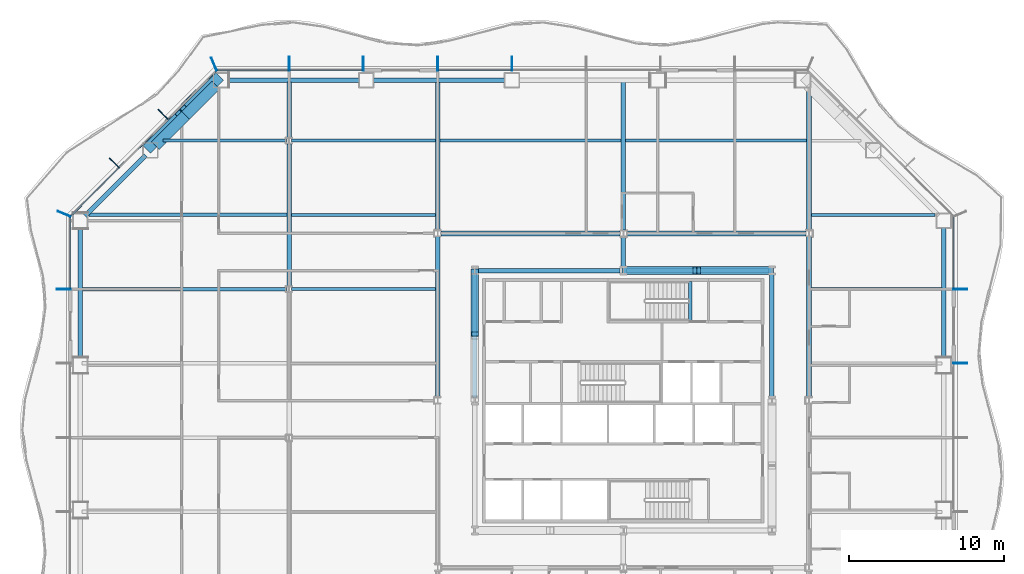
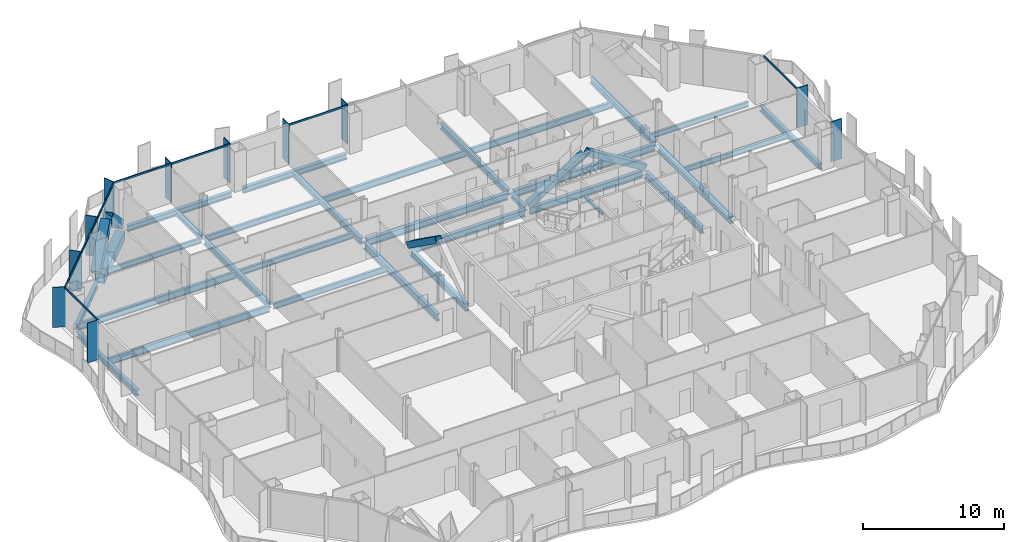
# One storey, part 3 of 20: 32 beams, 24 members, 4 elements without a shape of their own.
"""IFC4 building model written with IfcOpenShell, lengths in metres."""

import ifcopenshell
import ifcopenshell.guid

model = None  # the IFC model being written
_history = None  # IfcOwnerHistory: only IFC2X3 demands one
_inside = {}  # id of a spatial element -> (the spatial element, [elements in it])
_under = {}  # id of a project, library or spatial element -> (it, [spatial elements below it])
_declared = {}  # id of a project -> (the project, [libraries it declares])
_typed = {}  # id of a type object -> (the type object, [elements of that type])
_made_of = {}  # id of a material, layer set ... -> (it, [elements and type objects made of it])


def new_model(schema):
    """Start an empty IFC model of exactly this schema.

    Asked for "IFC4X3", IfcOpenShell would pick the latest addendum, in which some entities
    have other attributes; the version numbers below select the first issue.
    IFC2X3 requires an IfcOwnerHistory on every rooted entity: one is made here for all.
    """
    global model, _history
    if schema == "IFC4X3":
        model = ifcopenshell.file(schema_version=(4, 3, 0, 0))
    else:
        model = ifcopenshell.file(schema=schema)
    _inside.clear()
    _under.clear()
    _declared.clear()
    _typed.clear()
    _made_of.clear()
    _history = None
    if model.schema == "IFC2X3":
        org = make("IfcOrganization", Name="unknown")
        user = make(
            "IfcPersonAndOrganization",
            ThePerson=make("IfcPerson", FamilyName="unknown"),
            TheOrganization=org,
        )
        app = make(
            "IfcApplication",
            ApplicationDeveloper=org,
            Version="unknown",
            ApplicationFullName="unknown",
            ApplicationIdentifier="unknown",
        )
        _history = make(
            "IfcOwnerHistory",
            OwningUser=user,
            OwningApplication=app,
            ChangeAction="ADDED",
            CreationDate=0,
        )
    return model


def make(cls, **values):
    """One entity of the class cls with the attributes given. An attribute that is None is left unset."""
    return model.create_entity(
        cls, **{name: value for name, value in values.items() if value is not None}
    )


def rooted(cls, **values):
    """An entity with a GlobalId (a new one), such as an element, a storey or a relation."""
    return make(cls, GlobalId=ifcopenshell.guid.new(), OwnerHistory=_history, **values)


def si_unit(unit_type, name, prefix=None):
    """IfcSIUnit, for example si_unit("LENGTHUNIT", "METRE", prefix="MILLI")."""
    return make("IfcSIUnit", UnitType=unit_type, Prefix=prefix, Name=name)


def assignment(units):
    """IfcUnitAssignment: the units of a project."""
    return None if units is None else make("IfcUnitAssignment", Units=units)


def point(xyz):
    """IfcCartesianPoint."""
    return None if xyz is None else make("IfcCartesianPoint", Coordinates=xyz)


def direction(xyz):
    """IfcDirection."""
    return None if xyz is None else make("IfcDirection", DirectionRatios=xyz)


def frame(location, z_axis=None, x_axis=None):
    """IfcAxis2Placement3D, a coordinate frame: its origin and axes. An axis left out is left unset."""
    return make(
        "IfcAxis2Placement3D",
        Location=point(location),
        Axis=direction(z_axis),
        RefDirection=direction(x_axis),
    )


def frame_2d(location, x_axis=None):
    """IfcAxis2Placement2D, a coordinate frame in the plane: its origin and x axis."""
    return make(
        "IfcAxis2Placement2D", Location=point(location), RefDirection=direction(x_axis)
    )


def origin():
    """The frame at (0, 0, 0) with its axes left unset."""
    return frame((0.0, 0.0, 0.0))


def origin_2d():
    """The frame at (0, 0) in the plane with its x axis left unset."""
    return frame_2d((0.0, 0.0))


def place(relative_to, where):
    """IfcLocalPlacement: puts the frame where relative to a parent placement (None: the world)."""
    return make(
        "IfcLocalPlacement", PlacementRelTo=relative_to, RelativePlacement=where
    )


def context(
    kind, dimensions, precision=None, world=None, true_north=None, identifier=None
):
    """IfcGeometricRepresentationContext, for example the 3D "Model" context."""
    return make(
        "IfcGeometricRepresentationContext",
        ContextIdentifier=identifier,
        ContextType=kind,
        CoordinateSpaceDimension=dimensions,
        Precision=precision,
        WorldCoordinateSystem=world,
        TrueNorth=true_north,
    )


def subcontext(parent, identifier, kind, view, scale=None):
    """IfcGeometricRepresentationSubContext, for example "Body" below "Model"."""
    return make(
        "IfcGeometricRepresentationSubContext",
        ContextIdentifier=identifier,
        ContextType=kind,
        ParentContext=parent,
        TargetScale=scale,
        TargetView=view,
    )


def project(units=None, contexts=None):
    """IfcProject with its units and contexts."""
    return rooted(
        "IfcProject",
        Name="project",
        RepresentationContexts=contexts,
        UnitsInContext=assignment(units),
    )


def spatial(cls, under=None, at=None, **own):
    """A site, building, storey or space (cls), placed at a placement, below another one or the project."""
    s = rooted(cls, ObjectPlacement=at, **own)
    if under is not None:
        _under.setdefault(under.id(), (under, []))[1].append(s)
    return s


def profile(cls, at=None, kind="AREA", **sizes):
    """A parametric profile (cls). Its sizes go by their IFC names, for example OverallWidth=200.0."""
    return make(cls, ProfileType=kind, Position=at, **sizes)


def rectangle(**sizes):
    """IfcRectangleProfileDef."""
    return profile("IfcRectangleProfileDef", **sizes)


def hollow_rectangle(**sizes):
    """IfcRectangleHollowProfileDef."""
    return profile("IfcRectangleHollowProfileDef", **sizes)


def i_section(**sizes):
    """IfcIShapeProfileDef."""
    return profile("IfcIShapeProfileDef", **sizes)


def extrude(swept, where, along, depth):
    """IfcExtrudedAreaSolid: the profile swept, set in the frame where, extruded along a direction by depth."""
    return make(
        "IfcExtrudedAreaSolid",
        SweptArea=swept,
        Position=where,
        ExtrudedDirection=direction(along),
        Depth=depth,
    )


def shape(context_of_items, identifier, shape_type, items):
    """IfcShapeRepresentation: the items that make up one representation, for example the "Body"."""
    return make(
        "IfcShapeRepresentation",
        ContextOfItems=context_of_items,
        RepresentationIdentifier=identifier,
        RepresentationType=shape_type,
        Items=items,
    )


def material(Name=None, Category=None):
    """IfcMaterial."""
    return make("IfcMaterial", Name=Name, Category=Category)


def material_profile(
    of_material, cross_section, Name=None, Category=None, Priority=None
):
    """IfcMaterialProfile: a cross section and its material."""
    return make(
        "IfcMaterialProfile",
        Name=Name,
        Material=of_material,
        Profile=cross_section,
        Priority=Priority,
        Category=Category,
    )


def profile_set(profiles, Name=None, composite=None):
    """IfcMaterialProfileSet."""
    return make(
        "IfcMaterialProfileSet",
        Name=Name,
        MaterialProfiles=profiles,
        CompositeProfile=composite,
    )


def made_of(thing, what):
    """Note that an element or type object is made of a material, layer set ...; save() writes the relation."""
    if what is not None:
        _made_of.setdefault(what.id(), (what, []))[1].append(thing)
    return thing


def type_object(cls, material=None, **own):
    """A type object (cls), such as IfcWallType, which elements share."""
    return made_of(rooted(cls, **own), material)


def element(
    cls,
    number,
    at=None,
    inside=None,
    cuts=None,
    type_object=None,
    material=None,
    context=None,
    identifier="Body",
    shape_type=None,
    held_by="IfcProductDefinitionShape",
    body=None,
    shapes=None,
    **own,
):
    """One element of the class cls, such as IfcWall. Its Tag is "e" and its number.

    at: its placement. inside: the storey or other place that contains it. cuts: it is an
    opening in that element (IfcRelVoidsElement). A single representation is given by context,
    identifier, shape_type and body (its items); several are given by shapes. held_by: the class
    of the entity that holds the representations. save() writes the other relations.
    """
    e = rooted(cls, Tag="e%d" % number, ObjectPlacement=at, **own)
    if body is not None:
        shapes = [shape(context, identifier, shape_type, body)]
    if shapes is not None:
        e.Representation = make(held_by, Representations=shapes)
    if inside is not None:
        _inside.setdefault(inside.id(), (inside, []))[1].append(e)
    if cuts is not None:
        rooted(
            "IfcRelVoidsElement", RelatingBuildingElement=cuts, RelatedOpeningElement=e
        )
    if type_object is not None:
        _typed.setdefault(type_object.id(), (type_object, []))[1].append(e)
    return made_of(e, material)


def aggregate(whole, parts):
    """IfcRelAggregates: a whole, such as a stair, and the parts it consists of."""
    return rooted("IfcRelAggregates", RelatingObject=whole, RelatedObjects=parts)


def save(model, path):
    """Write the relations noted so far, then the file.

    IfcRelAggregates (storeys below a building ...), IfcRelContainedInSpatialStructure (elements
    in a storey), IfcRelDefinesByType, IfcRelAssociatesMaterial and IfcRelDeclares: one each for
    every whole, place, type object, material and project.
    """
    for whole, parts in _under.values():
        aggregate(whole, parts)
    for where, things in _inside.values():
        rooted(
            "IfcRelContainedInSpatialStructure",
            RelatedElements=things,
            RelatingStructure=where,
        )
    for kind, things in _typed.values():
        rooted("IfcRelDefinesByType", RelatedObjects=things, RelatingType=kind)
    for what, things in _made_of.values():
        rooted("IfcRelAssociatesMaterial", RelatedObjects=things, RelatingMaterial=what)
    for by, libraries in _declared.values():
        rooted("IfcRelDeclares", RelatingContext=by, RelatedDefinitions=libraries)
    model.write(path)


model = new_model("IFC4")

# Units and contexts
model_context = context("Model", 3, precision=1e-05, world=origin(), true_north=direction((0.0, 1.0)))
body_context = subcontext(model_context, "Body", "Model", "MODEL_VIEW")
ifc_project = project(units=[si_unit("LENGTHUNIT", "METRE"), si_unit("AREAUNIT", "SQUARE_METRE"), si_unit("VOLUMEUNIT", "CUBIC_METRE"), si_unit("PLANEANGLEUNIT", "RADIAN"), si_unit("MASSUNIT", "GRAM", prefix="KILO")], contexts=[model_context])

# Site, building, storey
site_placement = place(None, origin())
site = spatial("IfcSite", under=ifc_project, at=site_placement, CompositionType="ELEMENT")
building_placement = place(site_placement, origin())
building = spatial("IfcBuilding", under=site, at=building_placement, Name="Cairn Pilgrim Tower", CompositionType="ELEMENT")
storey_placement = place(building_placement, frame((0.0, 0.0, 51.0)))
storey = spatial("IfcBuildingStorey", under=building, at=storey_placement, Name="L10", CompositionType="ELEMENT", Elevation=51.0)

# Members
ifc_material_1 = material(Name="Structural steel S460M", Category="steel")
ifc_material_profile_1 = material_profile(ifc_material_1, hollow_rectangle(XDim=0.5, YDim=0.5, WallThickness=0.030029296875, at=origin_2d()), Name="BOX 500x500x30")
ifc_profile_set_1 = profile_set([ifc_material_profile_1], Name="Structural steel S460M")
member_type_1 = type_object("IfcMemberType", Name="BOX 500x500x30 BRACE", PredefinedType="BRACE", material=ifc_profile_set_1)
member_1_placement = place(storey_placement, frame((16.754638671875, 10.800048828125, 0.10009765625), z_axis=(-0.850936841659, 0.0, 0.525268018736), x_axis=(0.0, -1.0, 0.0)))
element("IfcMember", 1, at=member_1_placement, inside=storey, type_object=member_type_1, Name="KB-3A", PredefinedType="BRACE", context=body_context, shape_type="SweptSolid", body=[
    extrude(hollow_rectangle(XDim=0.5, YDim=0.5, WallThickness=0.030029296875, at=origin_2d()), origin(), (0.0, 0.0, 1.0), 5.52490234375),
])
member_2_placement = place(storey_placement, frame((7.245361328125, 10.800048828125, 0.10009765625), z_axis=(0.850919818074, 0.0, 0.52529559603), x_axis=(0.0, 1.0, 0.0)))
element("IfcMember", 2, at=member_2_placement, inside=storey, type_object=member_type_1, Name="KB-3B", PredefinedType="BRACE", context=body_context, shape_type="SweptSolid", body=[
    extrude(hollow_rectangle(XDim=0.5, YDim=0.5, WallThickness=0.030029296875, at=origin_2d()), origin(), (0.0, 0.0, 1.0), 5.375),
])
member_3_placement = place(storey_placement, frame((-2.39990234375, 10.754638671875, 0.10009765625), z_axis=(0.0, -0.814083383497, 0.580748004486), x_axis=(1.0, 0.0, 0.0)))
element("IfcMember", 3, at=member_3_placement, inside=storey, type_object=member_type_1, Name="KB-4A", PredefinedType="BRACE", context=body_context, shape_type="SweptSolid", body=[
    extrude(hollow_rectangle(XDim=0.5, YDim=0.5, WallThickness=0.030029296875, at=origin_2d()), origin(), (0.0, 0.0, 1.0), 4.9951171875),
])
ifc_material_profile_2 = material_profile(ifc_material_1, hollow_rectangle(XDim=0.699951171875, YDim=0.699951171875, WallThickness=0.0400390625, at=origin_2d()), Name="BOX 700x700x40")
ifc_profile_set_2 = profile_set([ifc_material_profile_2], Name="Structural steel S460M")
member_type_2 = type_object("IfcMemberType", Name="BOX 700x700x40 BRACE", PredefinedType="BRACE", material=ifc_profile_set_2)
member_4_placement = place(storey_placement, frame((-19.0498046875, 23.181396484375, 0.14990234375), z_axis=(-0.528096125699, -0.528096125699, 0.665002980477), x_axis=(0.707106781187, -0.707106781187, 0.0)))
element("IfcMember", 4, at=member_4_placement, inside=storey, type_object=member_type_2, Name="XB-NW1-NW2-1", PredefinedType="BRACE", context=body_context, shape_type="SweptSolid", body=[
    extrude(hollow_rectangle(XDim=0.699951171875, YDim=0.699951171875, WallThickness=0.0400390625, at=origin_2d()), origin(), (0.0, 0.0, 1.0), 3.89990234375),
])
member_5_placement = place(storey_placement, frame((-23.44482421875, 18.786376953125, 0.14990234375), z_axis=(0.528068439288, 0.528068439288, 0.665046950866), x_axis=(-0.707106781187, 0.707106781187, 0.0)))
element("IfcMember", 5, at=member_5_placement, inside=storey, type_object=member_type_2, Name="XB-NW1-NW2-2", PredefinedType="BRACE", context=body_context, shape_type="SweptSolid", body=[
    extrude(hollow_rectangle(XDim=0.699951171875, YDim=0.699951171875, WallThickness=0.0400390625, at=origin_2d()), origin(), (0.0, 0.0, 1.0), 3.899658203125),
])

# Beams
ifc_material_2 = material(Name="Structural steel S355J2", Category="steel")
ifc_material_profile_3 = material_profile(ifc_material_2, hollow_rectangle(XDim=0.699951171875, YDim=0.800048828125, WallThickness=0.0400390625, at=origin_2d()), Name="BOX 700x800x40")
ifc_profile_set_3 = profile_set([ifc_material_profile_3], Name="Structural steel S355J2")
beam_type_1 = type_object("IfcBeamType", Name="BOX 700x800x40 RING GIRDER", PredefinedType="SPANDREL", material=ifc_profile_set_3)
for number, where, z_axis, x_axis, name in (
    (6, (-19.1455078125, 22.78173828125, -0.550048828125), (-0.707106781187, -0.707106781187, 0.0), (0.707106781187, -0.707106781187, 0.0), "RG1-NW1-NW2-1"),
    (7, (-21.095458984375, 20.831787109375, -0.550048828125), (-0.707106781187, -0.707106781187, 0.0), (0.707106781187, -0.707106781187, 0.0), "RG1-NW1-NW2-2"),
):
    element("IfcBeam", number, at=place(storey_placement, frame(where, z_axis=z_axis, x_axis=x_axis)), inside=storey, type_object=beam_type_1, Name=name, PredefinedType="SPANDREL", context=body_context, shape_type="SweptSolid", body=[
        extrude(hollow_rectangle(XDim=0.699951171875, YDim=0.800048828125, WallThickness=0.0400390625, at=origin_2d()), origin(), (0.0, 0.0, 1.0), 2.757568359375),
    ])

# Curtain wall, members
ifc_material_3 = material(Name="Aluminium alloy 6063-T6 bronze anodised with Bronze tinted laminated low-E glass 8+16+8.8", Category="aluminium")
curtain_wall_type_1 = type_object("IfcCurtainWallType", Name="TOWER STICK CURTAIN WALL EW", PredefinedType="NOTDEFINED", material=ifc_material_3)
curtain_wall_1_placement = place(storey_placement, origin())
curtain_wall_1 = element("IfcCurtainWall", 8, at=curtain_wall_1_placement, inside=storey, type_object=curtain_wall_type_1, Name="Tower Stick Curtain Wall Ew E", PredefinedType="NOTDEFINED")
ifc_material_4 = material(Name="Aluminium alloy 6063-T6 bronze anodised", Category="aluminium")
ifc_material_profile_4 = material_profile(ifc_material_4, rectangle(XDim=0.89990234375, YDim=0.06005859375, at=origin_2d()), Name="FIN MULLION 60x900 BRONZE")
ifc_profile_set_4 = profile_set([ifc_material_profile_4], Name="Aluminium alloy 6063-T6 bronze anodised")
member_type_3 = type_object("IfcMemberType", Name="FIN MULLION 60x900 BRONZE", PredefinedType="MULLION", material=ifc_profile_set_4)
member_6_placement = place(storey_placement, frame((28.969970703125, 4.800048828125, 0.0), z_axis=(0.0, 0.0, 1.0), x_axis=(1.0, 0.0, 0.0)))
member_6 = element("IfcMember", 9, at=member_6_placement, type_object=member_type_3, Name="Fin mullion E5", PredefinedType="MULLION", context=body_context, shape_type="SweptSolid", body=[
    extrude(rectangle(XDim=0.89990234375, YDim=0.06005859375, at=origin_2d()), origin(), (0.0, 0.0, 1.0), 3.449951171875),
])
member_7_placement = place(storey_placement, frame((28.969970703125, 9.60009765625, 0.0), z_axis=(0.0, 0.0, 1.0), x_axis=(1.0, 0.0, 0.0)))
member_7 = element("IfcMember", 10, at=member_7_placement, type_object=member_type_3, Name="Fin mullion E6", PredefinedType="MULLION", context=body_context, shape_type="SweptSolid", body=[
    extrude(rectangle(XDim=0.89990234375, YDim=0.06005859375, at=origin_2d()), origin(), (0.0, 0.0, 1.0), 3.449951171875),
])

curtain_wall_type_2 = type_object("IfcCurtainWallType", Name="TOWER STICK CURTAIN WALL NS", PredefinedType="NOTDEFINED", material=ifc_material_3)
curtain_wall_2_placement = place(storey_placement, origin())
curtain_wall_2 = element("IfcCurtainWall", 11, at=curtain_wall_2_placement, inside=storey, type_object=curtain_wall_type_2, Name="Tower Stick Curtain Wall Ns N", PredefinedType="NOTDEFINED")
member_8_placement = place(storey_placement, frame((0.0, 24.169921875, 0.0), z_axis=(0.0, 0.0, 1.0), x_axis=(0.0, 1.0, 0.0)))
member_8 = element("IfcMember", 12, at=member_8_placement, type_object=member_type_3, Name="Fin mullion N5", PredefinedType="MULLION", context=body_context, shape_type="SweptSolid", body=[
    extrude(rectangle(XDim=0.89990234375, YDim=0.06005859375, at=origin_2d()), origin(), (0.0, 0.0, 1.0), 3.449951171875),
])
member_9_placement = place(storey_placement, frame((-4.800048828125, 24.169921875, 0.0), z_axis=(0.0, 0.0, 1.0), x_axis=(0.0, 1.0, 0.0)))
member_9 = element("IfcMember", 13, at=member_9_placement, type_object=member_type_3, Name="Fin mullion N6", PredefinedType="MULLION", context=body_context, shape_type="SweptSolid", body=[
    extrude(rectangle(XDim=0.89990234375, YDim=0.06005859375, at=origin_2d()), origin(), (0.0, 0.0, 1.0), 3.449951171875),
])
member_10_placement = place(storey_placement, frame((-9.60009765625, 24.169921875, 0.0), z_axis=(0.0, 0.0, 1.0), x_axis=(0.0, 1.0, 0.0)))
member_10 = element("IfcMember", 14, at=member_10_placement, type_object=member_type_3, Name="Fin mullion N7", PredefinedType="MULLION", context=body_context, shape_type="SweptSolid", body=[
    extrude(rectangle(XDim=0.89990234375, YDim=0.06005859375, at=origin_2d()), origin(), (0.0, 0.0, 1.0), 3.449951171875),
])
member_11_placement = place(storey_placement, frame((-14.39990234375, 24.169921875, 0.0), z_axis=(0.0, 0.0, 1.0), x_axis=(0.0, 1.0, 0.0)))
member_11 = element("IfcMember", 15, at=member_11_placement, type_object=member_type_3, Name="Fin mullion N8", PredefinedType="MULLION", context=body_context, shape_type="SweptSolid", body=[
    extrude(rectangle(XDim=0.89990234375, YDim=0.06005859375, at=origin_2d()), origin(), (0.0, 0.0, 1.0), 3.449951171875),
])

curtain_wall_type_3 = type_object("IfcCurtainWallType", Name="CHAMFER CORNER CURTAIN WALL", PredefinedType="NOTDEFINED", material=ifc_material_3)
curtain_wall_3_placement = place(storey_placement, origin())
curtain_wall_3 = element("IfcCurtainWall", 16, at=curtain_wall_3_placement, inside=storey, type_object=curtain_wall_type_3, Name="Chamfer Corner Curtain Wall NW", PredefinedType="NOTDEFINED")
member_12_placement = place(storey_placement, frame((-19.257080078125, 24.137939453125, 0.0), z_axis=(0.0, 0.0, 1.0), x_axis=(-0.382683432365, 0.923879532511, 0.0)))
member_12 = element("IfcMember", 17, at=member_12_placement, type_object=member_type_3, Name="Fin mullion NW1", PredefinedType="MULLION", context=body_context, shape_type="SweptSolid", body=[
    extrude(rectangle(XDim=0.89990234375, YDim=0.06005859375, at=origin_2d()), origin(), (0.0, 0.0, 1.0), 3.449951171875),
])
member_13_placement = place(storey_placement, frame((-22.544677734375, 20.895751953125, 0.0), z_axis=(0.0, 0.0, 1.0), x_axis=(-0.707106781187, 0.707106781187, 0.0)))
member_13 = element("IfcMember", 18, at=member_13_placement, type_object=member_type_3, Name="Fin mullion NW2", PredefinedType="MULLION", context=body_context, shape_type="SweptSolid", body=[
    extrude(rectangle(XDim=0.89990234375, YDim=0.06005859375, at=origin_2d()), origin(), (0.0, 0.0, 1.0), 3.449951171875),
])
member_14_placement = place(storey_placement, frame((-25.69580078125, 17.74462890625, 0.0), z_axis=(0.0, 0.0, 1.0), x_axis=(-0.707106781187, 0.707106781187, 0.0)))
member_14 = element("IfcMember", 19, at=member_14_placement, type_object=member_type_3, Name="Fin mullion NW3", PredefinedType="MULLION", context=body_context, shape_type="SweptSolid", body=[
    extrude(rectangle(XDim=0.89990234375, YDim=0.06005859375, at=origin_2d()), origin(), (0.0, 0.0, 1.0), 3.449951171875),
])

curtain_wall_4_placement = place(storey_placement, origin())
curtain_wall_4 = element("IfcCurtainWall", 20, at=curtain_wall_4_placement, inside=storey, type_object=curtain_wall_type_1, Name="Tower Stick Curtain Wall Ew W", PredefinedType="NOTDEFINED")
member_15_placement = place(storey_placement, frame((-28.93798828125, 14.457275390625, 0.0), z_axis=(0.0, 0.0, 1.0), x_axis=(-0.923879532511, 0.382683432365, 0.0)))
member_15 = element("IfcMember", 21, at=member_15_placement, type_object=member_type_3, Name="Fin mullion W1", PredefinedType="MULLION", context=body_context, shape_type="SweptSolid", body=[
    extrude(rectangle(XDim=0.89990234375, YDim=0.06005859375, at=origin_2d()), origin(), (0.0, 0.0, 1.0), 3.449951171875),
])
member_16_placement = place(storey_placement, frame((-28.969970703125, 9.60009765625, 0.0), z_axis=(0.0, 0.0, 1.0), x_axis=(-1.0, 0.0, 0.0)))
member_16 = element("IfcMember", 22, at=member_16_placement, type_object=member_type_3, Name="Fin mullion W2", PredefinedType="MULLION", context=body_context, shape_type="SweptSolid", body=[
    extrude(rectangle(XDim=0.89990234375, YDim=0.06005859375, at=origin_2d()), origin(), (0.0, 0.0, 1.0), 3.449951171875),
])

# Beams
ifc_material_profile_5 = material_profile(ifc_material_2, i_section(OverallWidth=0.300048828125, OverallDepth=0.39990234375, WebThickness=0.013427734375, FlangeThickness=0.02392578125, FilletRadius=0.027099609375, at=origin_2d()), Name="HEB 400")
ifc_profile_set_5 = profile_set([ifc_material_profile_5], Name="Structural steel S355J2")
beam_type_2 = type_object("IfcBeamType", Name="HEB 400 GIRDER", PredefinedType="BEAM", material=ifc_profile_set_5)
beam_1_placement = place(storey_placement, frame((-14.39990234375, 19.404541015625, -0.35009765625), z_axis=(0.0, 1.0, 0.0), x_axis=(-1.0, 0.0, 0.0)))
element("IfcBeam", 23, at=beam_1_placement, inside=storey, type_object=beam_type_2, Name="PG1-6", PredefinedType="BEAM", context=body_context, shape_type="SweptSolid", body=[
    extrude(i_section(OverallWidth=0.300048828125, OverallDepth=0.39990234375, WebThickness=0.013427734375, FlangeThickness=0.02392578125, FilletRadius=0.027099609375, at=origin_2d()), origin(), (0.0, 0.0, 1.0), 3.575439453125),
])
beam_2_placement = place(storey_placement, frame((7.199951171875, 11.027099609375, -0.35009765625), z_axis=(0.0, 1.0, 0.0), x_axis=(-1.0, 0.0, 0.0)))
element("IfcBeam", 24, at=beam_2_placement, inside=storey, type_object=beam_type_2, Name="PG3-E2", PredefinedType="BEAM", context=body_context, shape_type="SweptSolid", body=[
    extrude(i_section(OverallWidth=0.300048828125, OverallDepth=0.39990234375, WebThickness=0.013427734375, FlangeThickness=0.02392578125, FilletRadius=0.027099609375, at=origin_2d()), origin(), (0.0, 0.0, 1.0), 1.9609375),
])
ifc_material_profile_6 = material_profile(ifc_material_2, i_section(OverallWidth=0.300048828125, OverallDepth=0.5, WebThickness=0.014404296875, FlangeThickness=0.028076171875, FilletRadius=0.027099609375, at=origin_2d()), Name="HEB 500")
ifc_profile_set_6 = profile_set([ifc_material_profile_6], Name="Structural steel S355J2")
beam_type_3 = type_object("IfcBeamType", Name="HEB 500 GIRDER", PredefinedType="BEAM", material=ifc_profile_set_6)
beam_3_placement = place(storey_placement, frame((-14.39990234375, 9.804443359375, -0.39990234375), z_axis=(0.0, 1.0, 0.0), x_axis=(-1.0, 0.0, 0.0)))
element("IfcBeam", 25, at=beam_3_placement, inside=storey, type_object=beam_type_3, Name="PG1-5", PredefinedType="BEAM", context=body_context, shape_type="SweptSolid", body=[
    extrude(i_section(OverallWidth=0.300048828125, OverallDepth=0.5, WebThickness=0.014404296875, FlangeThickness=0.028076171875, FilletRadius=0.027099609375, at=origin_2d()), origin(), (0.0, 0.0, 1.0), 9.191162109375),
])
for number, where, z_axis, x_axis, name in (
    (26, (-4.800048828125, 13.412109375, -0.39990234375), (0.0, 1.0, 0.0), (-1.0, 0.0, 0.0), "PG2-4"),
    (27, (7.199951171875, 13.412109375, -0.39990234375), (0.0, 1.0, 0.0), (-1.0, 0.0, 0.0), "PG3-2"),
):
    element("IfcBeam", number, at=place(storey_placement, frame(where, z_axis=z_axis, x_axis=x_axis)), inside=storey, type_object=beam_type_3, Name=name, PredefinedType="BEAM", context=body_context, shape_type="SweptSolid", body=[
        extrude(i_section(OverallWidth=0.300048828125, OverallDepth=0.5, WebThickness=0.014404296875, FlangeThickness=0.028076171875, FilletRadius=0.027099609375, at=origin_2d()), origin(), (0.0, 0.0, 1.0), 9.56787109375),
    ])
beam_4_placement = place(storey_placement, frame((19.199951171875, 13.412109375, -0.39990234375), z_axis=(0.0, 1.0, 0.0), x_axis=(-1.0, 0.0, 0.0)))
element("IfcBeam", 28, at=beam_4_placement, inside=storey, type_object=beam_type_3, Name="PG4-4", PredefinedType="BEAM", context=body_context, shape_type="SweptSolid", body=[
    extrude(i_section(OverallWidth=0.300048828125, OverallDepth=0.5, WebThickness=0.014404296875, FlangeThickness=0.028076171875, FilletRadius=0.027099609375, at=origin_2d()), origin(), (0.0, 0.0, 1.0), 9.133056640625),
])
ifc_material_profile_7 = material_profile(ifc_material_2, i_section(OverallWidth=0.300048828125, OverallDepth=0.5, WebThickness=0.014404296875, FlangeThickness=0.028076171875, FilletRadius=0.027099609375, at=origin_2d()), Name="HEB 500")
ifc_profile_set_7 = profile_set([ifc_material_profile_7], Name="Structural steel S355J2")
beam_type_4 = type_object("IfcBeamType", Name="HEB 500 RING GIRDER", PredefinedType="SPANDREL", material=ifc_profile_set_7)
beam_5_placement = place(storey_placement, frame((27.89990234375, 5.125732421875, -0.39990234375), z_axis=(0.0, 1.0, 0.0), x_axis=(-1.0, 0.0, 0.0)))
element("IfcBeam", 29, at=beam_5_placement, inside=storey, type_object=beam_type_4, Name="RG1-E3-NE1", PredefinedType="SPANDREL", context=body_context, shape_type="SweptSolid", body=[
    extrude(i_section(OverallWidth=0.300048828125, OverallDepth=0.5, WebThickness=0.014404296875, FlangeThickness=0.028076171875, FilletRadius=0.027099609375, at=origin_2d()), origin(), (0.0, 0.0, 1.0), 8.451416015625),
])
for number, where, z_axis, x_axis, name in (
    (30, (-0.449951171875, 23.10009765625, -0.39990234375), (-1.0, 0.0, 0.0), (0.0, -1.0, 0.0), "RG1-N3-N4"),
    (31, (-9.863525390625, 23.10009765625, -0.39990234375), (-1.0, 0.0, 0.0), (0.0, -1.0, 0.0), "RG1-N4-NW1"),
):
    element("IfcBeam", number, at=place(storey_placement, frame(where, z_axis=z_axis, x_axis=x_axis)), inside=storey, type_object=beam_type_4, Name=name, PredefinedType="SPANDREL", context=body_context, shape_type="SweptSolid", body=[
        extrude(i_section(OverallWidth=0.300048828125, OverallDepth=0.5, WebThickness=0.014404296875, FlangeThickness=0.028076171875, FilletRadius=0.027099609375, at=origin_2d()), origin(), (0.0, 0.0, 1.0), 8.513671875),
    ])
beam_6_placement = place(storey_placement, frame((-23.681884765625, 18.245361328125, -0.39990234375), z_axis=(-0.707106781187, -0.707106781187, 0.0), x_axis=(0.707106781187, -0.707106781187, 0.0)))
element("IfcBeam", 32, at=beam_6_placement, inside=storey, type_object=beam_type_4, Name="RG1-NW2-W1", PredefinedType="SPANDREL", context=body_context, shape_type="SweptSolid", body=[
    extrude(i_section(OverallWidth=0.300048828125, OverallDepth=0.5, WebThickness=0.014404296875, FlangeThickness=0.028076171875, FilletRadius=0.027099609375, at=origin_2d()), origin(), (0.0, 0.0, 1.0), 5.515380859375),
])
beam_7_placement = place(storey_placement, frame((-27.89990234375, 13.5771484375, -0.39990234375), z_axis=(0.0, -1.0, 0.0), x_axis=(1.0, 0.0, 0.0)))
element("IfcBeam", 33, at=beam_7_placement, inside=storey, type_object=beam_type_4, Name="RG1-W1-W2", PredefinedType="SPANDREL", context=body_context, shape_type="SweptSolid", body=[
    extrude(i_section(OverallWidth=0.300048828125, OverallDepth=0.5, WebThickness=0.014404296875, FlangeThickness=0.028076171875, FilletRadius=0.027099609375, at=origin_2d()), origin(), (0.0, 0.0, 1.0), 8.451416015625),
])
ifc_material_profile_8 = material_profile(ifc_material_2, i_section(OverallWidth=0.300048828125, OverallDepth=0.60009765625, WebThickness=0.015380859375, FlangeThickness=0.030029296875, FilletRadius=0.027099609375, at=origin_2d()), Name="HEB 600")
ifc_profile_set_8 = profile_set([ifc_material_profile_8], Name="Structural steel S355J2")
beam_type_5 = type_object("IfcBeamType", Name="HEB 600 CORE BEAM", PredefinedType="BEAM", material=ifc_profile_set_8)
beam_8_placement = place(storey_placement, frame((16.800048828125, 2.604248046875, -0.449951171875), z_axis=(0.0, 1.0, 0.0), x_axis=(-1.0, 0.0, 0.0)))
element("IfcBeam", 34, at=beam_8_placement, inside=storey, type_object=beam_type_5, Name="CB-4", PredefinedType="BEAM", context=body_context, shape_type="SweptSolid", body=[
    extrude(i_section(OverallWidth=0.300048828125, OverallDepth=0.60009765625, WebThickness=0.015380859375, FlangeThickness=0.030029296875, FilletRadius=0.027099609375, at=origin_2d()), origin(), (0.0, 0.0, 1.0), 7.991455078125),
])
for number, where, z_axis, x_axis, name in (
    (35, (16.595703125, 10.800048828125, -0.449951171875), (-1.0, 0.0, 0.0), (0.0, -1.0, 0.0), "CB-5"),
    (36, (6.99560546875, 10.800048828125, -0.449951171875), (-1.0, 0.0, 0.0), (0.0, -1.0, 0.0), "CB-6"),
):
    element("IfcBeam", number, at=place(storey_placement, frame(where, z_axis=z_axis, x_axis=x_axis)), inside=storey, type_object=beam_type_5, Name=name, PredefinedType="BEAM", context=body_context, shape_type="SweptSolid", body=[
        extrude(i_section(OverallWidth=0.300048828125, OverallDepth=0.60009765625, WebThickness=0.015380859375, FlangeThickness=0.030029296875, FilletRadius=0.027099609375, at=origin_2d()), origin(), (0.0, 0.0, 1.0), 9.19140625),
    ])
beam_9_placement = place(storey_placement, frame((-2.39990234375, 10.595703125, -0.449951171875), z_axis=(0.0, -1.0, 0.0), x_axis=(1.0, 0.0, 0.0)))
element("IfcBeam", 37, at=beam_9_placement, inside=storey, type_object=beam_type_5, Name="CB-7", PredefinedType="BEAM", context=body_context, shape_type="SweptSolid", body=[
    extrude(i_section(OverallWidth=0.300048828125, OverallDepth=0.60009765625, WebThickness=0.015380859375, FlangeThickness=0.030029296875, FilletRadius=0.027099609375, at=origin_2d()), origin(), (0.0, 0.0, 1.0), 7.991455078125),
])
ifc_material_profile_9 = material_profile(ifc_material_2, i_section(OverallWidth=0.300048828125, OverallDepth=0.60009765625, WebThickness=0.015380859375, FlangeThickness=0.030029296875, FilletRadius=0.027099609375, at=origin_2d()), Name="HEB 600")
ifc_profile_set_9 = profile_set([ifc_material_profile_9], Name="Structural steel S355J2")
beam_type_6 = type_object("IfcBeamType", Name="HEB 600 GIRDER", PredefinedType="BEAM", material=ifc_profile_set_9)
for number, where, z_axis, x_axis, name in (
    (38, (-4.800048828125, 2.612060546875, -0.449951171875), (0.0, 1.0, 0.0), (-1.0, 0.0, 0.0), "PG2-3"),
    (39, (19.199951171875, 2.612060546875, -0.449951171875), (0.0, 1.0, 0.0), (-1.0, 0.0, 0.0), "PG4-3"),
):
    element("IfcBeam", number, at=place(storey_placement, frame(where, z_axis=z_axis, x_axis=x_axis)), inside=storey, type_object=beam_type_6, Name=name, PredefinedType="BEAM", context=body_context, shape_type="SweptSolid", body=[
        extrude(i_section(OverallWidth=0.300048828125, OverallDepth=0.60009765625, WebThickness=0.015380859375, FlangeThickness=0.030029296875, FilletRadius=0.027099609375, at=origin_2d()), origin(), (0.0, 0.0, 1.0), 10.3759765625),
    ])
ifc_material_profile_10 = material_profile(ifc_material_2, i_section(OverallWidth=0.300048828125, OverallDepth=0.60009765625, WebThickness=0.015380859375, FlangeThickness=0.030029296875, FilletRadius=0.027099609375, at=origin_2d()), Name="HEB 600")
ifc_profile_set_10 = profile_set([ifc_material_profile_10], Name="Structural steel S355J2")
beam_type_7 = type_object("IfcBeamType", Name="HEB 600 INNER GIRDER", PredefinedType="BEAM", material=ifc_profile_set_10)
for number, where, z_axis, x_axis, name in (
    (40, (-4.587890625, 13.199951171875, -0.449951171875), (1.0, 0.0, 0.0), (0.0, 1.0, 0.0), "IG2-1"),
    (41, (7.412109375, 13.199951171875, -0.449951171875), (1.0, 0.0, 0.0), (0.0, 1.0, 0.0), "IG2-2"),
):
    element("IfcBeam", number, at=place(storey_placement, frame(where, z_axis=z_axis, x_axis=x_axis)), inside=storey, type_object=beam_type_7, Name=name, PredefinedType="BEAM", context=body_context, shape_type="SweptSolid", body=[
        extrude(i_section(OverallWidth=0.300048828125, OverallDepth=0.60009765625, WebThickness=0.015380859375, FlangeThickness=0.030029296875, FilletRadius=0.027099609375, at=origin_2d()), origin(), (0.0, 0.0, 1.0), 11.575927734375),
    ])
ifc_material_profile_11 = material_profile(ifc_material_2, i_section(OverallWidth=0.18994140625, OverallDepth=0.449951171875, WebThickness=0.009521484375, FlangeThickness=0.0146484375, FilletRadius=0.02099609375, at=origin_2d()), Name="IPE 450")
ifc_profile_set_11 = profile_set([ifc_material_profile_11], Name="Structural steel S355J2")
beam_type_8 = type_object("IfcBeamType", Name="IPE 450 SECONDARY BEAM", PredefinedType="JOIST", material=ifc_profile_set_11)
beam_10_placement = place(storey_placement, frame((19.35009765625, 9.60009765625, -0.375), z_axis=(1.0, 0.0, 0.0), x_axis=(0.0, 1.0, 0.0)))
element("IfcBeam", 42, at=beam_10_placement, inside=storey, type_object=beam_type_8, Name="SB7-3", PredefinedType="JOIST", context=body_context, shape_type="SweptSolid", body=[
    extrude(i_section(OverallWidth=0.18994140625, OverallDepth=0.449951171875, WebThickness=0.009521484375, FlangeThickness=0.0146484375, FilletRadius=0.02099609375, at=origin_2d()), origin(), (0.0, 0.0, 1.0), 8.429931640625),
])
for number, where, z_axis, x_axis, name in (
    (43, (19.35009765625, 14.39990234375, -0.375), (1.0, 0.0, 0.0), (0.0, 1.0, 0.0), "SB8-3"),
    (44, (-22.545166015625, 19.199951171875, -0.375), (1.0, 0.0, 0.0), (0.0, 1.0, 0.0), "SB9-1"),
):
    element("IfcBeam", number, at=place(storey_placement, frame(where, z_axis=z_axis, x_axis=x_axis)), inside=storey, type_object=beam_type_8, Name=name, PredefinedType="JOIST", context=body_context, shape_type="SweptSolid", body=[
        extrude(i_section(OverallWidth=0.18994140625, OverallDepth=0.449951171875, WebThickness=0.009521484375, FlangeThickness=0.0146484375, FilletRadius=0.02099609375, at=origin_2d()), origin(), (0.0, 0.0, 1.0), 7.9951171875),
    ])
ifc_material_profile_12 = material_profile(ifc_material_2, i_section(OverallWidth=0.199951171875, OverallDepth=0.5, WebThickness=0.01025390625, FlangeThickness=0.01611328125, FilletRadius=0.02099609375, at=origin_2d()), Name="IPE 500")
ifc_profile_set_12 = profile_set([ifc_material_profile_12], Name="Structural steel S355J2")
beam_type_9 = type_object("IfcBeamType", Name="IPE 500 SECONDARY BEAM", PredefinedType="JOIST", material=ifc_profile_set_12)
for number, where, z_axis, x_axis, name in (
    (45, (-14.25, 9.60009765625, -0.39990234375), (1.0, 0.0, 0.0), (0.0, 1.0, 0.0), "SB7-2"),
    (46, (-14.25, 14.39990234375, -0.39990234375), (1.0, 0.0, 0.0), (0.0, 1.0, 0.0), "SB8-2"),
    (47, (-14.25, 19.199951171875, -0.39990234375), (1.0, 0.0, 0.0), (0.0, 1.0, 0.0), "SB9-2"),
):
    element("IfcBeam", number, at=place(storey_placement, frame(where, z_axis=z_axis, x_axis=x_axis)), inside=storey, type_object=beam_type_9, Name=name, PredefinedType="JOIST", context=body_context, shape_type="SweptSolid", body=[
        extrude(i_section(OverallWidth=0.199951171875, OverallDepth=0.5, WebThickness=0.01025390625, FlangeThickness=0.01611328125, FilletRadius=0.02099609375, at=origin_2d()), origin(), (0.0, 0.0, 1.0), 9.300048828125),
    ])
ifc_material_profile_13 = material_profile(ifc_material_2, i_section(OverallWidth=0.2099609375, OverallDepth=0.550048828125, WebThickness=0.010986328125, FlangeThickness=0.01708984375, FilletRadius=0.02392578125, at=origin_2d()), Name="IPE 550")
ifc_profile_set_13 = profile_set([ifc_material_profile_13], Name="Structural steel S355J2")
beam_type_10 = type_object("IfcBeamType", Name="IPE 550 SECONDARY BEAM", PredefinedType="JOIST", material=ifc_profile_set_13)
for number, where, z_axis, x_axis, name in (
    (48, (-4.64990234375, 19.199951171875, -0.425048828125), (1.0, 0.0, 0.0), (0.0, 1.0, 0.0), "SB9-3"),
    (49, (7.35009765625, 19.199951171875, -0.425048828125), (1.0, 0.0, 0.0), (0.0, 1.0, 0.0), "SB9-4"),
):
    element("IfcBeam", number, at=place(storey_placement, frame(where, z_axis=z_axis, x_axis=x_axis)), inside=storey, type_object=beam_type_10, Name=name, PredefinedType="JOIST", context=body_context, shape_type="SweptSolid", body=[
        extrude(i_section(OverallWidth=0.2099609375, OverallDepth=0.550048828125, WebThickness=0.010986328125, FlangeThickness=0.01708984375, FilletRadius=0.02392578125, at=origin_2d()), origin(), (0.0, 0.0, 1.0), 11.699951171875),
    ])
ifc_material_profile_14 = material_profile(ifc_material_2, i_section(OverallWidth=0.219970703125, OverallDepth=0.60009765625, WebThickness=0.011962890625, FlangeThickness=0.01904296875, FilletRadius=0.02392578125, at=origin_2d()), Name="IPE 600")
ifc_profile_set_14 = profile_set([ifc_material_profile_14], Name="Structural steel S355J2")
beam_type_11 = type_object("IfcBeamType", Name="IPE 600 SECONDARY BEAM", PredefinedType="JOIST", material=ifc_profile_set_14)
beam_11_placement = place(storey_placement, frame((-27.780029296875, 9.60009765625, -0.449951171875), z_axis=(1.0, 0.0, 0.0), x_axis=(0.0, 1.0, 0.0)))
element("IfcBeam", 50, at=beam_11_placement, inside=storey, type_object=beam_type_11, Name="SB7-1", PredefinedType="JOIST", context=body_context, shape_type="SweptSolid", body=[
    extrude(i_section(OverallWidth=0.219970703125, OverallDepth=0.60009765625, WebThickness=0.011962890625, FlangeThickness=0.01904296875, FilletRadius=0.02392578125, at=origin_2d()), origin(), (0.0, 0.0, 1.0), 13.22998046875),
])
beam_12_placement = place(storey_placement, frame((-27.34521484375, 14.39990234375, -0.449951171875), z_axis=(1.0, 0.0, 0.0), x_axis=(0.0, 1.0, 0.0)))
element("IfcBeam", 51, at=beam_12_placement, inside=storey, type_object=beam_type_11, Name="SB8-1", PredefinedType="JOIST", context=body_context, shape_type="SweptSolid", body=[
    extrude(i_section(OverallWidth=0.219970703125, OverallDepth=0.60009765625, WebThickness=0.011962890625, FlangeThickness=0.01904296875, FilletRadius=0.02392578125, at=origin_2d()), origin(), (0.0, 0.0, 1.0), 12.795166015625),
])
ifc_material_profile_15 = material_profile(ifc_material_2, i_section(OverallWidth=0.199951171875, OverallDepth=0.199951171875, WebThickness=0.009033203125, FlangeThickness=0.014892578125, FilletRadius=0.01806640625, at=origin_2d()), Name="HE 200 B")
ifc_profile_set_15 = profile_set([ifc_material_profile_15], Name="Structural steel S355J2")
beam_type_12 = type_object("IfcBeamType", Name="STAIR LANDING BEAM HE 200 B", PredefinedType="BEAM", material=ifc_profile_set_15)
beam_13_placement = place(storey_placement, frame((11.5244140625, 10.10009765625, -0.25), z_axis=(0.0, -1.0, 0.0), x_axis=(1.0, 0.0, 0.0)))
element("IfcBeam", 52, at=beam_13_placement, inside=storey, type_object=beam_type_12, Name="STAIR LANDING BEAM LD-HE200B", PredefinedType="BEAM", context=body_context, shape_type="SweptSolid", body=[
    extrude(i_section(OverallWidth=0.199951171875, OverallDepth=0.199951171875, WebThickness=0.009033203125, FlangeThickness=0.014892578125, FilletRadius=0.01806640625, at=origin_2d()), origin(), (0.0, 0.0, 1.0), 2.525146484375),
])

# Member
ifc_material_profile_16 = material_profile(ifc_material_4, rectangle(XDim=0.080078125, YDim=0.14990234375, at=origin_2d()), Name="TRANSOM 80x150 BRONZE")
ifc_profile_set_16 = profile_set([ifc_material_profile_16], Name="Aluminium alloy 6063-T6 bronze anodised")
member_type_4 = type_object("IfcMemberType", Name="TRANSOM 80x150 BRONZE", PredefinedType="USERDEFINED", material=ifc_profile_set_16)
member_17_placement = place(storey_placement, frame((28.550048828125, 9.6298828125, 3.375), z_axis=(0.0, 1.0, 0.0), x_axis=(-1.0, 0.0, 0.0)))
member_17 = element("IfcMember", 53, at=member_17_placement, type_object=member_type_4, Name="Transom E6", ObjectType="TRANSOM", PredefinedType="USERDEFINED", context=body_context, shape_type="SweptSolid", body=[
    extrude(rectangle(XDim=0.080078125, YDim=0.14990234375, at=origin_2d()), origin(), (0.0, 0.0, 1.0), 4.62646484375),
])

aggregate(curtain_wall_1, [member_6, member_7, member_17])

member_18_placement = place(storey_placement, frame((-0.030029296875, 23.75, 3.375), z_axis=(-1.0, 0.0, 0.0), x_axis=(0.0, -1.0, 0.0)))
member_18 = element("IfcMember", 54, at=member_18_placement, type_object=member_type_4, Name="Transom N5", ObjectType="TRANSOM", PredefinedType="USERDEFINED", context=body_context, shape_type="SweptSolid", body=[
    extrude(rectangle(XDim=0.080078125, YDim=0.14990234375, at=origin_2d()), origin(), (0.0, 0.0, 1.0), 4.739990234375),
])

member_19_placement = place(storey_placement, frame((-9.6298828125, 23.75, 3.375), z_axis=(-1.0, 0.0, 0.0), x_axis=(0.0, -1.0, 0.0)))
member_19 = element("IfcMember", 55, at=member_19_placement, type_object=member_type_4, Name="Transom N7", ObjectType="TRANSOM", PredefinedType="USERDEFINED", context=body_context, shape_type="SweptSolid", body=[
    extrude(rectangle(XDim=0.080078125, YDim=0.14990234375, at=origin_2d()), origin(), (0.0, 0.0, 1.0), 4.740234375),
])

member_20_placement = place(storey_placement, frame((-14.429931640625, 23.75, 3.375), z_axis=(-1.0, 0.0, 0.0), x_axis=(0.0, -1.0, 0.0)))
member_20 = element("IfcMember", 56, at=member_20_placement, type_object=member_type_4, Name="Transom N8", ObjectType="TRANSOM", PredefinedType="USERDEFINED", context=body_context, shape_type="SweptSolid", body=[
    extrude(rectangle(XDim=0.080078125, YDim=0.14990234375, at=origin_2d()), origin(), (0.0, 0.0, 1.0), 4.62646484375),
])

aggregate(curtain_wall_2, [member_8, member_9, member_10, member_11, member_18, member_19, member_20])

member_21_placement = place(storey_placement, frame((-19.124755859375, 23.7216796875, 3.375), z_axis=(-0.707106781187, -0.707106781187, 0.0), x_axis=(0.707106781187, -0.707106781187, 0.0)))
member_21 = element("IfcMember", 57, at=member_21_placement, type_object=member_type_4, Name="Transom NW1", ObjectType="TRANSOM", PredefinedType="USERDEFINED", context=body_context, shape_type="SweptSolid", body=[
    extrude(rectangle(XDim=0.080078125, YDim=0.14990234375, at=origin_2d()), origin(), (0.0, 0.0, 1.0), 4.38623046875),
])

member_22_placement = place(storey_placement, frame((-22.268798828125, 20.57763671875, 3.375), z_axis=(-0.707106781187, -0.707106781187, 0.0), x_axis=(0.707106781187, -0.707106781187, 0.0)))
member_22 = element("IfcMember", 58, at=member_22_placement, type_object=member_type_4, Name="Transom NW2", ObjectType="TRANSOM", PredefinedType="USERDEFINED", context=body_context, shape_type="SweptSolid", body=[
    extrude(rectangle(XDim=0.080078125, YDim=0.14990234375, at=origin_2d()), origin(), (0.0, 0.0, 1.0), 4.396728515625),
])

member_23_placement = place(storey_placement, frame((-25.419921875, 17.426513671875, 3.375), z_axis=(-0.707106781187, -0.707106781187, 0.0), x_axis=(0.707106781187, -0.707106781187, 0.0)))
member_23 = element("IfcMember", 59, at=member_23_placement, type_object=member_type_4, Name="Transom NW3", ObjectType="TRANSOM", PredefinedType="USERDEFINED", context=body_context, shape_type="SweptSolid", body=[
    extrude(rectangle(XDim=0.080078125, YDim=0.14990234375, at=origin_2d()), origin(), (0.0, 0.0, 1.0), 4.38671875),
])

aggregate(curtain_wall_3, [member_12, member_13, member_14, member_21, member_22, member_23])

member_24_placement = place(storey_placement, frame((-28.550048828125, 14.25634765625, 3.375), z_axis=(0.0, -1.0, 0.0), x_axis=(1.0, 0.0, 0.0)))
member_24 = element("IfcMember", 60, at=member_24_placement, type_object=member_type_4, Name="Transom W1", ObjectType="TRANSOM", PredefinedType="USERDEFINED", context=body_context, shape_type="SweptSolid", body=[
    extrude(rectangle(XDim=0.080078125, YDim=0.14990234375, at=origin_2d()), origin(), (0.0, 0.0, 1.0), 4.62646484375),
])

aggregate(curtain_wall_4, [member_15, member_16, member_24])

save(model, "model.ifc")
